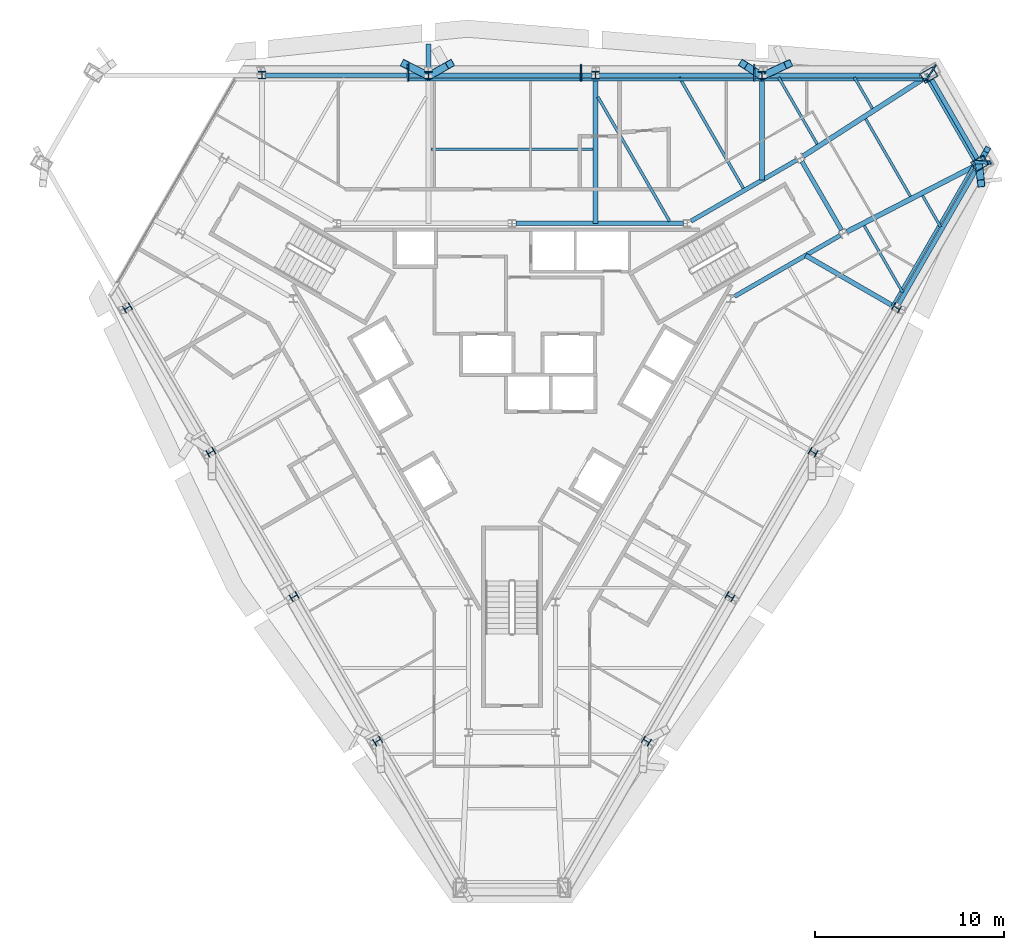
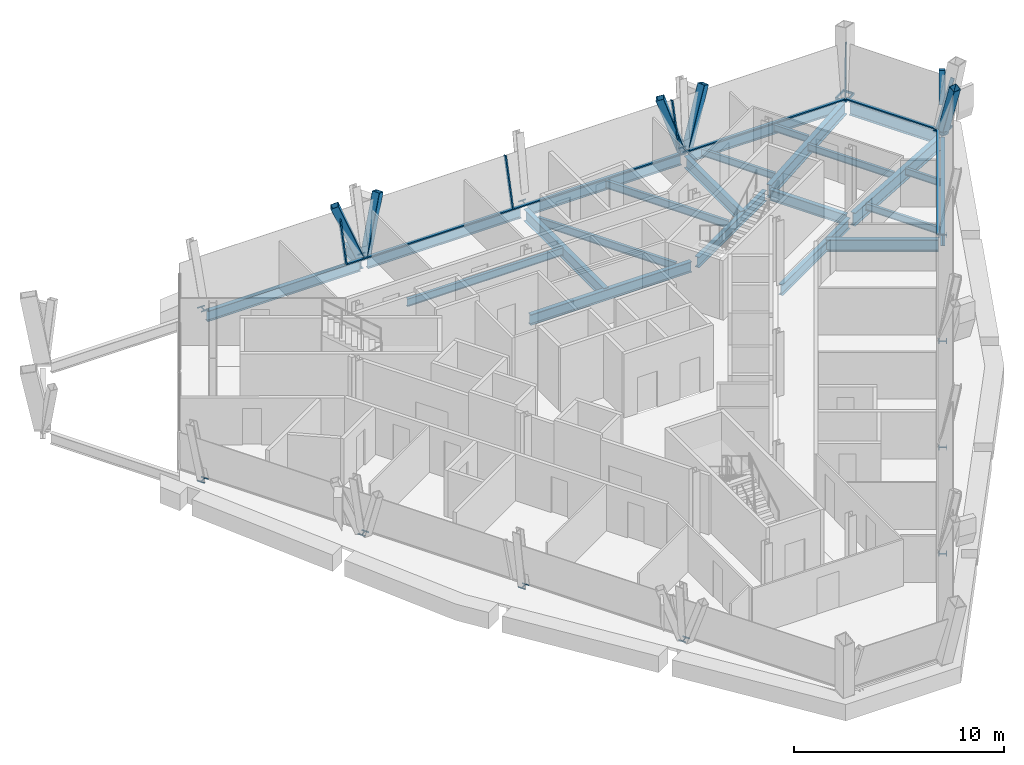
# One storey, part 5 of 11: 30 members, 24 beams, 3 elements without a shape of their own.
"""IFC4 building model written with IfcOpenShell, lengths in metres."""

from ifc_helpers import new_model, si_unit, direction, frame, origin, origin_2d, place, context, subcontext, project, spatial, rectangle, hollow_rectangle, i_section, extrude, material, material_profile, profile_set, type_object, element, aggregate, save


model = new_model("IFC4")

# Units and contexts
model_context = context("Model", 3, precision=1e-05, world=origin(), true_north=direction((0.0, 1.0)))
body_context = subcontext(model_context, "Body", "Model", "MODEL_VIEW")
ifc_project = project(units=[si_unit("LENGTHUNIT", "METRE"), si_unit("AREAUNIT", "SQUARE_METRE"), si_unit("VOLUMEUNIT", "CUBIC_METRE"), si_unit("PLANEANGLEUNIT", "RADIAN"), si_unit("MASSUNIT", "GRAM", prefix="KILO")], contexts=[model_context])

# Site, building, storey
site_placement = place(None, origin())
site = spatial("IfcSite", under=ifc_project, at=site_placement, CompositionType="ELEMENT")
building_placement = place(site_placement, origin())
building = spatial("IfcBuilding", under=site, at=building_placement, Name="Verrane Prism Tower", CompositionType="ELEMENT")
storey_placement = place(building_placement, frame((0.0, 0.0, 232.300048828125)))
storey = spatial("IfcBuildingStorey", under=building, at=storey_placement, Name="L58", CompositionType="ELEMENT", Elevation=232.300048828125)

# Member
ifc_material_1 = material(Name="Steel A500 Grade C", Category="steel")
ifc_material_profile_1 = material_profile(ifc_material_1, hollow_rectangle(XDim=0.3046875, YDim=0.3046875, WallThickness=0.0126953125, InnerFilletRadius=0.00634765625, OuterFilletRadius=0.01904296875, at=origin_2d()), Name="HSS12x12x1/2")
ifc_profile_set_1 = profile_set([ifc_material_profile_1], Name="Steel A500 Grade C")
member_type_1 = type_object("IfcMemberType", Name="Chamfer brace HSS12x12x1/2", PredefinedType="BRACE", material=ifc_profile_set_1)
member_1_placement = place(storey_placement, frame((24.888427734375, 11.51171875, 1.158203125), z_axis=(0.123660107547, 0.216716761827, 0.968370808598), x_axis=(-0.86855035139, 0.49560093533, 0.0)))
element("IfcMember", 1, at=member_1_placement, inside=storey, type_object=member_type_1, Name="Chamfer brace NE0 L58", PredefinedType="BRACE", context=body_context, shape_type="SweptSolid", body=[
    extrude(hollow_rectangle(XDim=0.3046875, YDim=0.3046875, WallThickness=0.0126953125, InnerFilletRadius=0.00634765625, OuterFilletRadius=0.01904296875, at=origin_2d()), origin(), (0.0, 0.0, 1.0), 1.762939453125),
])

# Beams
ifc_material_2 = material(Name="Steel A992", Category="steel")
ifc_material_profile_2 = material_profile(ifc_material_2, i_section(OverallWidth=0.2666015625, OverallDepth=0.7568359375, WebThickness=0.013916015625, FlangeThickness=0.019287109375, FilletRadius=0.0166015625, at=origin_2d()), Name="W30x108")
ifc_profile_set_2 = profile_set([ifc_material_profile_2], Name="Steel A992")
beam_type_1 = type_object("IfcBeamType", Name="Chamfer spandrel beam W30x108", PredefinedType="SPANDREL", material=ifc_profile_set_2)
beam_1_placement = place(storey_placement, frame((24.5703125, 11.419921875, -0.53857421875), z_axis=(-0.499144251771, 0.866518906848, 0.0), x_axis=(-0.866518906848, -0.499144251771, 0.0)))
element("IfcBeam", 2, at=beam_1_placement, inside=storey, type_object=beam_type_1, Name="Chamfer spandrel beam L58", PredefinedType="SPANDREL", context=body_context, shape_type="SweptSolid", body=[
    extrude(i_section(OverallWidth=0.2666015625, OverallDepth=0.7568359375, WebThickness=0.013916015625, FlangeThickness=0.019287109375, FilletRadius=0.0166015625, at=origin_2d()), origin(), (0.0, 0.0, 1.0), 4.78955078125),
])
ifc_material_3 = material(Name="Steel A992", Category="steel")
ifc_material_profile_3 = material_profile(ifc_material_3, i_section(OverallWidth=0.23046875, OverallDepth=0.6171875, WebThickness=0.01318359375, FlangeThickness=0.022216796875, FilletRadius=0.012939453125, at=origin_2d()), Name="W24x94")
ifc_profile_set_3 = profile_set([ifc_material_profile_3], Name="Steel A992")
beam_type_2 = type_object("IfcBeamType", Name="Core ring girder W24x94", PredefinedType="BEAM", material=ifc_profile_set_3)
beam_2_placement = place(storey_placement, frame((11.759521484375, 4.135009765625, -0.55859375), z_axis=(0.866080992722, 0.499903704773, 0.0), x_axis=(-0.499903704773, 0.866080992722, 0.0)))
element("IfcBeam", 3, at=beam_2_placement, inside=storey, type_object=beam_type_2, Name="Core ring girder L58", PredefinedType="BEAM", context=body_context, shape_type="SweptSolid", body=[
    extrude(i_section(OverallWidth=0.23046875, OverallDepth=0.6171875, WebThickness=0.01318359375, FlangeThickness=0.022216796875, FilletRadius=0.012939453125, at=origin_2d()), origin(), (0.0, 0.0, 1.0), 6.451904296875),
])
beam_3_placement = place(storey_placement, frame((17.419677734375, 7.6337890625, -0.55859375), z_axis=(-0.500375511519, 0.865808493532, 0.0), x_axis=(-0.865808493532, -0.500375511519, 0.0)))
element("IfcBeam", 4, at=beam_3_placement, inside=storey, type_object=beam_type_2, Name="Core ring girder L58", PredefinedType="BEAM", context=body_context, shape_type="SweptSolid", body=[
    extrude(i_section(OverallWidth=0.23046875, OverallDepth=0.6171875, WebThickness=0.01318359375, FlangeThickness=0.022216796875, FilletRadius=0.012939453125, at=origin_2d()), origin(), (0.0, 0.0, 1.0), 4.195556640625),
])
beam_4_placement = place(storey_placement, frame((15.04736328125, 11.34033203125, -0.55859375), z_axis=(-0.866080992722, -0.499903704773, 0.0), x_axis=(0.499903704773, -0.866080992722, 0.0)))
element("IfcBeam", 5, at=beam_4_placement, inside=storey, type_object=beam_type_2, Name="Core ring girder L58", PredefinedType="BEAM", context=body_context, shape_type="SweptSolid", body=[
    extrude(i_section(OverallWidth=0.23046875, OverallDepth=0.6171875, WebThickness=0.01318359375, FlangeThickness=0.022216796875, FilletRadius=0.012939453125, at=origin_2d()), origin(), (0.0, 0.0, 1.0), 6.451904296875),
])
beam_5_placement = place(storey_placement, frame((9.060546875, 8.0, -0.55859375), z_axis=(-1.0, 0.0, 0.0), x_axis=(0.0, -1.0, 0.0)))
element("IfcBeam", 6, at=beam_5_placement, inside=storey, type_object=beam_type_2, Name="Core ring girder L58", PredefinedType="BEAM", context=body_context, shape_type="SweptSolid", body=[
    extrude(i_section(OverallWidth=0.23046875, OverallDepth=0.6171875, WebThickness=0.01318359375, FlangeThickness=0.022216796875, FilletRadius=0.012939453125, at=origin_2d()), origin(), (0.0, 0.0, 1.0), 8.861083984375),
])
ifc_material_4 = material(Name="Steel A992", Category="steel")
ifc_material_profile_4 = material_profile(ifc_material_4, i_section(OverallWidth=0.2666015625, OverallDepth=0.76708984375, WebThickness=0.014892578125, FlangeThickness=0.023681640625, FilletRadius=0.0166015625, at=origin_2d()), Name="W30x124")
ifc_profile_set_4 = profile_set([ifc_material_profile_4], Name="Steel A992")
beam_type_3 = type_object("IfcBeamType", Name="Corner girder W30x124", PredefinedType="BEAM", material=ifc_profile_set_4)
beam_6_placement = place(storey_placement, frame((24.36376953125, 10.97705078125, -0.603515625), z_axis=(-0.889427813273, -0.457075666576, 0.0), x_axis=(0.457075666576, -0.889427813273, 0.0)))
element("IfcBeam", 7, at=beam_6_placement, inside=storey, type_object=beam_type_3, Name="Corner girder L58", PredefinedType="BEAM", context=body_context, shape_type="SweptSolid", body=[
    extrude(i_section(OverallWidth=0.2666015625, OverallDepth=0.76708984375, WebThickness=0.014892578125, FlangeThickness=0.023681640625, FilletRadius=0.0166015625, at=origin_2d()), origin(), (0.0, 0.0, 1.0), 7.4951171875),
])
beam_7_placement = place(storey_placement, frame((22.02880859375, 15.8291015625, -0.603515625), z_axis=(-0.840503183153, -0.541806606742, 0.0), x_axis=(0.541806606742, -0.840503183153, 0.0)))
element("IfcBeam", 8, at=beam_7_placement, inside=storey, type_object=beam_type_3, Name="Corner girder L58", PredefinedType="BEAM", context=body_context, shape_type="SweptSolid", body=[
    extrude(i_section(OverallWidth=0.2666015625, OverallDepth=0.76708984375, WebThickness=0.014892578125, FlangeThickness=0.023681640625, FilletRadius=0.0166015625, at=origin_2d()), origin(), (0.0, 0.0, 1.0), 7.9013671875),
])

# Members
ifc_material_5 = material(Name="Steel A500 Grade C", Category="steel")
ifc_material_profile_5 = material_profile(ifc_material_5, hollow_rectangle(XDim=0.406494140625, YDim=0.406494140625, WallThickness=0.01904296875, InnerFilletRadius=0.009521484375, OuterFilletRadius=0.028564453125, at=origin_2d()), Name="HSS16x16x3/4")
ifc_profile_set_5 = profile_set([ifc_material_profile_5], Name="Steel A500 Grade C")
member_type_2 = type_object("IfcMemberType", Name="Facade brace HSS16x16x3/4", PredefinedType="BRACE", material=ifc_profile_set_5)
member_2_placement = place(storey_placement, frame((13.338623046875, 15.830078125, -0.171630859375), z_axis=(0.365585300719, 0.169746161738, 0.915168633899), x_axis=(-0.421131980092, 0.906999368987, 0.0)))
element("IfcMember", 9, at=member_2_placement, inside=storey, type_object=member_type_2, Name="Facade brace N0 L58", PredefinedType="BRACE", context=body_context, shape_type="SweptSolid", body=[
    extrude(hollow_rectangle(XDim=0.406494140625, YDim=0.406494140625, WallThickness=0.01904296875, InnerFilletRadius=0.009521484375, OuterFilletRadius=0.028564453125, at=origin_2d()), origin(), (0.0, 0.0, 1.0), 3.443115234375),
])
member_3_placement = place(storey_placement, frame((13.133544921875, 15.830078125, -0.171630859375), z_axis=(-0.27522130319, 0.175327248493, 0.945258477987), x_axis=(-0.537282041635, -0.843402636785, 0.0)))
element("IfcMember", 10, at=member_3_placement, inside=storey, type_object=member_type_2, Name="Facade brace N1 L58", PredefinedType="BRACE", context=body_context, shape_type="SweptSolid", body=[
    extrude(hollow_rectangle(XDim=0.406494140625, YDim=0.406494140625, WallThickness=0.01904296875, InnerFilletRadius=0.009521484375, OuterFilletRadius=0.028564453125, at=origin_2d()), origin(), (0.0, 0.0, 1.0), 3.33349609375),
])
member_4_placement = place(storey_placement, frame((-4.312744140625, 15.830078125, -0.171630859375), z_axis=(0.306637458504, 0.173584789704, 0.935864194115), x_axis=(-0.492633505256, 0.870236881257, 0.0)))
element("IfcMember", 11, at=member_4_placement, inside=storey, type_object=member_type_2, Name="Facade brace N2 L58", PredefinedType="BRACE", context=body_context, shape_type="SweptSolid", body=[
    extrude(hollow_rectangle(XDim=0.406494140625, YDim=0.406494140625, WallThickness=0.01904296875, InnerFilletRadius=0.009521484375, OuterFilletRadius=0.028564453125, at=origin_2d()), origin(), (0.0, 0.0, 1.0), 3.3671875),
])
member_5_placement = place(storey_placement, frame((-4.517822265625, 15.830078125, -0.171630859375), z_axis=(-0.336446754697, 0.171738492696, 0.925910077373), x_axis=(-0.454642544283, -0.890673990261, 0.0)))
element("IfcMember", 12, at=member_5_placement, inside=storey, type_object=member_type_2, Name="Facade brace N3 L58", PredefinedType="BRACE", context=body_context, shape_type="SweptSolid", body=[
    extrude(hollow_rectangle(XDim=0.406494140625, YDim=0.406494140625, WallThickness=0.01904296875, InnerFilletRadius=0.009521484375, OuterFilletRadius=0.028564453125, at=origin_2d()), origin(), (0.0, 0.0, 1.0), 3.4033203125),
])
member_6_placement = place(storey_placement, frame((24.682373046875, 11.0947265625, -0.171630859375), z_axis=(0.032664698192, -0.298490307689, 0.953853528435), x_axis=(0.994065455559, 0.108783592809, 0.0)))
element("IfcMember", 13, at=member_6_placement, inside=storey, type_object=member_type_2, Name="Facade brace SE4 L58", PredefinedType="BRACE", context=body_context, shape_type="SweptSolid", body=[
    extrude(hollow_rectangle(XDim=0.406494140625, YDim=0.406494140625, WallThickness=0.01904296875, InnerFilletRadius=0.009521484375, OuterFilletRadius=0.028564453125, at=origin_2d()), origin(), (0.0, 0.0, 1.0), 3.303466796875),
])

# Beams
ifc_material_6 = material(Name="Steel A992", Category="steel")
ifc_material_profile_6 = material_profile(ifc_material_6, i_section(OverallWidth=0.140380859375, OverallDepth=0.40380859375, WebThickness=0.007080078125, FlangeThickness=0.01123046875, FilletRadius=0.01025390625, at=origin_2d()), Name="W16x31")
ifc_profile_set_6 = profile_set([ifc_material_profile_6], Name="Steel A992")
beam_type_4 = type_object("IfcBeamType", Name="Floor beam W16x31", PredefinedType="BEAM", material=ifc_profile_set_6)
beam_8_placement = place(storey_placement, frame((19.0458984375, 14.065185546875, -0.362060546875), z_axis=(-0.499929534118, 0.866066083458, 0.0), x_axis=(-0.866066083458, -0.499929534118, 0.0)))
element("IfcBeam", 14, at=beam_8_placement, inside=storey, type_object=beam_type_4, Name="Floor beam L58", PredefinedType="BEAM", context=body_context, shape_type="SweptSolid", body=[
    extrude(i_section(OverallWidth=0.140380859375, OverallDepth=0.40380859375, WebThickness=0.007080078125, FlangeThickness=0.01123046875, FilletRadius=0.01025390625, at=origin_2d()), origin(), (0.0, 0.0, 1.0), 1.905029296875),
])
beam_9_placement = place(storey_placement, frame((16.12890625, 12.184814453125, -0.362060546875), z_axis=(-0.499978218965, 0.866037978706, 0.0), x_axis=(-0.866037978706, -0.499978218965, 0.0)))
element("IfcBeam", 15, at=beam_9_placement, inside=storey, type_object=beam_type_4, Name="Floor beam L58", PredefinedType="BEAM", context=body_context, shape_type="SweptSolid", body=[
    extrude(i_section(OverallWidth=0.140380859375, OverallDepth=0.40380859375, WebThickness=0.007080078125, FlangeThickness=0.01123046875, FilletRadius=0.01025390625, at=origin_2d()), origin(), (0.0, 0.0, 1.0), 4.076416015625),
])
beam_10_placement = place(storey_placement, frame((22.65380859375, 7.80712890625, -0.362060546875), z_axis=(-0.500036506332, 0.866004325818, 0.0), x_axis=(-0.866004325818, -0.500036506332, 0.0)))
element("IfcBeam", 16, at=beam_10_placement, inside=storey, type_object=beam_type_4, Name="Floor beam L58", PredefinedType="BEAM", context=body_context, shape_type="SweptSolid", body=[
    extrude(i_section(OverallWidth=0.140380859375, OverallDepth=0.40380859375, WebThickness=0.007080078125, FlangeThickness=0.01123046875, FilletRadius=0.01025390625, at=origin_2d()), origin(), (0.0, 0.0, 1.0), 1.906494140625),
])
beam_11_placement = place(storey_placement, frame((20.654052734375, 4.33935546875, -0.362060546875), z_axis=(-0.500007372378, 0.866021147298, 0.0), x_axis=(-0.866021147298, -0.500007372378, 0.0)))
element("IfcBeam", 17, at=beam_11_placement, inside=storey, type_object=beam_type_4, Name="Floor beam L58", PredefinedType="BEAM", context=body_context, shape_type="SweptSolid", body=[
    extrude(i_section(OverallWidth=0.140380859375, OverallDepth=0.40380859375, WebThickness=0.007080078125, FlangeThickness=0.01123046875, FilletRadius=0.01025390625, at=origin_2d()), origin(), (0.0, 0.0, 1.0), 4.07958984375),
])
beam_12_placement = place(storey_placement, frame((21.0546875, 9.426513671875, -0.362060546875), z_axis=(-0.499972881236, 0.866041060244, 0.0), x_axis=(-0.866041060244, -0.499972881236, 0.0)))
element("IfcBeam", 18, at=beam_12_placement, inside=storey, type_object=beam_type_4, Name="Floor beam L58", PredefinedType="BEAM", context=body_context, shape_type="SweptSolid", body=[
    extrude(i_section(OverallWidth=0.140380859375, OverallDepth=0.40380859375, WebThickness=0.007080078125, FlangeThickness=0.01123046875, FilletRadius=0.01025390625, at=origin_2d()), origin(), (0.0, 0.0, 1.0), 4.725830078125),
])
ifc_material_7 = material(Name="Steel A992", Category="steel")
ifc_material_profile_7 = material_profile(ifc_material_7, i_section(OverallWidth=0.15234375, OverallDepth=0.449462890625, WebThickness=0.007568359375, FlangeThickness=0.0107421875, FilletRadius=0.01025390625, at=origin_2d()), Name="W18x35")
ifc_profile_set_7 = profile_set([ifc_material_profile_7], Name="Steel A992")
beam_type_5 = type_object("IfcBeamType", Name="Floor beam W18x35", PredefinedType="BEAM", material=ifc_profile_set_7)
beam_13_placement = place(storey_placement, frame((12.22900390625, 9.849853515625, -0.384765625), z_axis=(-0.499992893009, 0.866029506969, 0.0), x_axis=(-0.866029506969, -0.499992893009, 0.0)))
element("IfcBeam", 19, at=beam_13_placement, inside=storey, type_object=beam_type_5, Name="Floor beam L58", PredefinedType="BEAM", context=body_context, shape_type="SweptSolid", body=[
    extrude(i_section(OverallWidth=0.15234375, OverallDepth=0.449462890625, WebThickness=0.007568359375, FlangeThickness=0.0107421875, FilletRadius=0.01025390625, at=origin_2d()), origin(), (0.0, 0.0, 1.0), 6.7724609375),
])
beam_14_placement = place(storey_placement, frame((8.3251953125, 8.114990234375, -0.384765625), z_axis=(-0.499979074716, 0.866037484666, 0.0), x_axis=(-0.866037484666, -0.499979074716, 0.0)))
element("IfcBeam", 20, at=beam_14_placement, inside=storey, type_object=beam_type_5, Name="Floor beam L58", PredefinedType="BEAM", context=body_context, shape_type="SweptSolid", body=[
    extrude(i_section(OverallWidth=0.15234375, OverallDepth=0.449462890625, WebThickness=0.007568359375, FlangeThickness=0.0107421875, FilletRadius=0.01025390625, at=origin_2d()), origin(), (0.0, 0.0, 1.0), 7.576416015625),
])
beam_15_placement = place(storey_placement, frame((-4.282958984375, 11.9150390625, -0.384765625), z_axis=(1.0, 0.0, 0.0), x_axis=(0.0, 1.0, 0.0)))
element("IfcBeam", 21, at=beam_15_placement, inside=storey, type_object=beam_type_5, Name="Floor beam L58", PredefinedType="BEAM", context=body_context, shape_type="SweptSolid", body=[
    extrude(i_section(OverallWidth=0.15234375, OverallDepth=0.449462890625, WebThickness=0.007568359375, FlangeThickness=0.0107421875, FilletRadius=0.01025390625, at=origin_2d()), origin(), (0.0, 0.0, 1.0), 8.56591796875),
])

# Members
ifc_material_8 = material(Name="Steel A572 Grade 50", Category="steel")
ifc_material_profile_8 = material_profile(ifc_material_8, hollow_rectangle(XDim=0.60009765625, YDim=0.800048828125, WallThickness=0.050048828125, at=origin_2d()), Name="BOX 800x600x50")
ifc_profile_set_8 = profile_set([ifc_material_profile_8], Name="Steel A572 Grade 50")
member_type_3 = type_object("IfcMemberType", Name="Kink node BOX 800x600x50", PredefinedType="COLLAR", material=ifc_profile_set_8)
for number, where, z_axis, x_axis, name in (
    (22, (24.72705078125, 11.159912109375, -0.06494140625), (0.0, 0.0, 1.0), (0.5, -0.866025403784, 0.0), "Kink node MC4 L58"),
    (23, (22.033447265625, 15.836181640625, -0.06494140625), (0.0, 0.0, 1.0), (0.5, -0.866025403784, 0.0), "Kink node MC4 L58"),
):
    element("IfcMember", number, at=place(storey_placement, frame(where, z_axis=z_axis, x_axis=x_axis)), inside=storey, type_object=member_type_3, Name=name, PredefinedType="COLLAR", context=body_context, shape_type="SweptSolid", body=[
        extrude(hollow_rectangle(XDim=0.60009765625, YDim=0.800048828125, WallThickness=0.050048828125, at=origin_2d()), origin(), (0.0, 0.0, 1.0), 0.1298828125),
    ])
ifc_material_9 = material(Name="Steel A992", Category="steel")
ifc_material_profile_9 = material_profile(ifc_material_9, i_section(OverallWidth=0.4013671875, OverallDepth=0.398681640625, WebThickness=0.02490234375, FlangeThickness=0.03955078125, FilletRadius=0.01513671875, at=origin_2d()), Name="W14x211")
ifc_profile_set_9 = profile_set([ifc_material_profile_9], Name="Steel A992")
member_type_4 = type_object("IfcMemberType", Name="Kink node W14x211", PredefinedType="COLLAR", material=ifc_profile_set_9)
for number, where, z_axis, x_axis, name in (
    (24, (13.22119140625, 15.833251953125, -0.03515625), (0.0, 0.0, 1.0), (1.0, 0.0, 0.0), "Kink node PC8 L58"),
    (25, (4.410400390625, 15.833251953125, -0.03515625), (0.0, 0.0, 1.0), (1.0, 0.0, 0.0), "Kink node PC8 L58"),
    (26, (-4.410400390625, 15.833251953125, -0.03515625), (0.0, 0.0, 1.0), (1.0, 0.0, 0.0), "Kink node PC8 L58"),
    (27, (-13.22119140625, 15.833251953125, -0.03515625), (0.0, 0.0, 1.0), (1.0, 0.0, 0.0), "Kink node PC8 L58"),
    (28, (7.102294921875, -19.36279296875, -0.03515625), (0.0, 0.0, 1.0), (-0.5, -0.866025403784, 0.0), "Kink node PC8 L58"),
    (29, (11.5126953125, -11.73193359375, -0.03515625), (0.0, 0.0, 1.0), (-0.5, -0.866025403784, 0.0), "Kink node PC8 L58"),
    (30, (15.9130859375, -4.101318359375, -0.03515625), (0.0, 0.0, 1.0), (-0.5, -0.866025403784, 0.0), "Kink node PC8 L58"),
):
    element("IfcMember", number, at=place(storey_placement, frame(where, z_axis=z_axis, x_axis=x_axis)), inside=storey, type_object=member_type_4, Name=name, PredefinedType="COLLAR", context=body_context, shape_type="SweptSolid", body=[
        extrude(i_section(OverallWidth=0.4013671875, OverallDepth=0.398681640625, WebThickness=0.02490234375, FlangeThickness=0.03955078125, FilletRadius=0.01513671875, at=origin_2d()), origin(), (0.0, 0.0, 1.0), 0.070068359375),
    ])
for number, where, z_axis, x_axis, name in (
    (31, (20.323974609375, 3.529296875, -0.0400390625), (0.0, 0.0, 1.0), (-0.5, -0.866025403784, 0.0), "Kink node PC8 L58"),
    (32, (-20.323974609375, 3.529296875, -0.0400390625), (0.0, 0.0, 1.0), (-0.5, 0.866025403784, 0.0), "Kink node PC8 L58"),
):
    element("IfcMember", number, at=place(storey_placement, frame(where, z_axis=z_axis, x_axis=x_axis)), inside=storey, type_object=member_type_4, Name=name, PredefinedType="COLLAR", context=body_context, shape_type="SweptSolid", body=[
        extrude(i_section(OverallWidth=0.4013671875, OverallDepth=0.398681640625, WebThickness=0.02490234375, FlangeThickness=0.03955078125, FilletRadius=0.01513671875, at=origin_2d()), origin(), (0.0, 0.0, 1.0), 0.080078125),
    ])
for number, where, z_axis, x_axis, name in (
    (33, (-15.9130859375, -4.101318359375, -0.03515625), (0.0, 0.0, 1.0), (-0.5, 0.866025403784, 0.0), "Kink node PC8 L58"),
    (34, (-11.5126953125, -11.73193359375, -0.03515625), (0.0, 0.0, 1.0), (-0.5, 0.866025403784, 0.0), "Kink node PC8 L58"),
    (35, (-7.102294921875, -19.36279296875, -0.03515625), (0.0, 0.0, 1.0), (-0.5, 0.866025403784, 0.0), "Kink node PC8 L58"),
):
    element("IfcMember", number, at=place(storey_placement, frame(where, z_axis=z_axis, x_axis=x_axis)), inside=storey, type_object=member_type_4, Name=name, PredefinedType="COLLAR", context=body_context, shape_type="SweptSolid", body=[
        extrude(i_section(OverallWidth=0.4013671875, OverallDepth=0.398681640625, WebThickness=0.02490234375, FlangeThickness=0.03955078125, FilletRadius=0.01513671875, at=origin_2d()), origin(), (0.0, 0.0, 1.0), 0.070068359375),
    ])

# Curtain wall, member
ifc_material_10 = material(Name="Aluminium framed insulated glazing", Category="aluminium")
curtain_wall_type = type_object("IfcCurtainWallType", Name="Curtain wall CW-A 8400 module", PredefinedType="NOTDEFINED", material=ifc_material_10)
curtain_wall_1_placement = place(storey_placement, origin())
curtain_wall_1 = element("IfcCurtainWall", 36, at=curtain_wall_1_placement, inside=storey, type_object=curtain_wall_type, Name="Glazed curtain wall north-east corner L58", PredefinedType="NOTDEFINED")
ifc_material_11 = material(Name="Aluminium alloy 6063-T6", Category="aluminium")
ifc_material_profile_10 = material_profile(ifc_material_11, rectangle(XDim=0.199951171875, YDim=0.070068359375, at=origin_2d()), Name="Mullion 70x200 aluminium")
ifc_profile_set_10 = profile_set([ifc_material_profile_10], Name="Aluminium alloy 6063-T6")
member_type_5 = type_object("IfcMemberType", Name="Mullion 70x200 aluminium", PredefinedType="MULLION", material=ifc_profile_set_10)
member_7_placement = place(storey_placement, frame((24.4716796875, 11.2431640625, 0.0), z_axis=(0.291230931481, -0.01058865048, 0.956594179906), x_axis=(0.446510167014, -0.882834744842, -0.145710274354)))
member_7 = element("IfcMember", 37, at=member_7_placement, type_object=member_type_5, Name="CW57.1 mullion 1", PredefinedType="MULLION", context=body_context, shape_type="SweptSolid", body=[
    extrude(rectangle(XDim=0.199951171875, YDim=0.070068359375, at=origin_2d()), origin(), (0.0, 0.0, 1.0), 2.8359375),
])

# Curtain wall, members
curtain_wall_2_placement = place(storey_placement, origin())
curtain_wall_2 = element("IfcCurtainWall", 38, at=curtain_wall_2_placement, inside=storey, type_object=curtain_wall_type, Name="Glazed curtain wall north face L58", PredefinedType="NOTDEFINED")
member_8_placement = place(storey_placement, frame((21.92041015625, 15.601806640625, 0.0), z_axis=(0.154871913489, 0.246813660908, 0.956607394494), x_axis=(0.508448169968, 0.810295110227, -0.291379980093)))
member_8 = element("IfcMember", 39, at=member_8_placement, type_object=member_type_5, Name="CW57.2 mullion 1", PredefinedType="MULLION", context=body_context, shape_type="SweptSolid", body=[
    extrude(rectangle(XDim=0.199951171875, YDim=0.070068359375, at=origin_2d()), origin(), (0.0, 0.0, 1.0), 2.8359375),
])
member_9_placement = place(storey_placement, frame((12.802734375, 15.601806640625, 0.0), z_axis=(0.0, 0.249827945556, 0.968290244513), x_axis=(0.0, 0.968290244513, -0.249827945556)))
member_9 = element("IfcMember", 40, at=member_9_placement, type_object=member_type_5, Name="CW57.2 mullion 2", PredefinedType="MULLION", context=body_context, shape_type="SweptSolid", body=[
    extrude(rectangle(XDim=0.199951171875, YDim=0.070068359375, at=origin_2d()), origin(), (0.0, 0.0, 1.0), 2.8017578125),
])
member_10_placement = place(storey_placement, frame((3.650390625, 15.601806640625, 0.0), z_axis=(0.0, 0.249827945556, 0.968290244513), x_axis=(0.0, 0.968290244513, -0.249827945556)))
member_10 = element("IfcMember", 41, at=member_10_placement, type_object=member_type_5, Name="CW57.2 mullion 3", PredefinedType="MULLION", context=body_context, shape_type="SweptSolid", body=[
    extrude(rectangle(XDim=0.199951171875, YDim=0.070068359375, at=origin_2d()), origin(), (0.0, 0.0, 1.0), 2.8017578125),
])
member_11_placement = place(storey_placement, frame((-5.501953125, 15.601806640625, 0.0), z_axis=(0.0, 0.249827945556, 0.968290244513), x_axis=(0.0, 0.968290244513, -0.249827945556)))
member_11 = element("IfcMember", 42, at=member_11_placement, type_object=member_type_5, Name="CW57.2 mullion 4", PredefinedType="MULLION", context=body_context, shape_type="SweptSolid", body=[
    extrude(rectangle(XDim=0.199951171875, YDim=0.070068359375, at=origin_2d()), origin(), (0.0, 0.0, 1.0), 2.8017578125),
])

# Beams
ifc_material_12 = material(Name="Steel A992", Category="steel")
ifc_material_profile_11 = material_profile(ifc_material_12, i_section(OverallWidth=0.25390625, OverallDepth=0.683349609375, WebThickness=0.012451171875, FlangeThickness=0.01904296875, FilletRadius=0.01513671875, at=origin_2d()), Name="W27x94")
ifc_profile_set_11 = profile_set([ifc_material_profile_11], Name="Steel A992")
beam_type_6 = type_object("IfcBeamType", Name="Radial girder W27x94", PredefinedType="BEAM", material=ifc_profile_set_11)
beam_16_placement = place(storey_placement, frame((13.219970703125, 15.630615234375, -0.561767578125), z_axis=(0.0, -1.0, 0.0), x_axis=(1.0, 0.0, 0.0)))
element("IfcBeam", 43, at=beam_16_placement, inside=storey, type_object=beam_type_6, Name="Radial girder L58", PredefinedType="BEAM", context=body_context, shape_type="SweptSolid", body=[
    extrude(i_section(OverallWidth=0.25390625, OverallDepth=0.683349609375, WebThickness=0.012451171875, FlangeThickness=0.01904296875, FilletRadius=0.01513671875, at=origin_2d()), origin(), (0.0, 0.0, 1.0), 5.344970703125),
])
beam_17_placement = place(storey_placement, frame((4.409912109375, 15.630615234375, -0.561767578125), z_axis=(0.0, -1.0, 0.0), x_axis=(1.0, 0.0, 0.0)))
element("IfcBeam", 44, at=beam_17_placement, inside=storey, type_object=beam_type_6, Name="Radial girder L58", PredefinedType="BEAM", context=body_context, shape_type="SweptSolid", body=[
    extrude(i_section(OverallWidth=0.25390625, OverallDepth=0.683349609375, WebThickness=0.012451171875, FlangeThickness=0.01904296875, FilletRadius=0.01513671875, at=origin_2d()), origin(), (0.0, 0.0, 1.0), 7.630615234375),
])
beam_18_placement = place(storey_placement, frame((20.147216796875, 3.629638671875, -0.561767578125), z_axis=(-0.866020604947, 0.500008311739, 0.0), x_axis=(-0.500008311739, -0.866020604947, 0.0)))
element("IfcBeam", 45, at=beam_18_placement, inside=storey, type_object=beam_type_6, Name="Radial girder L58", PredefinedType="BEAM", context=body_context, shape_type="SweptSolid", body=[
    extrude(i_section(OverallWidth=0.25390625, OverallDepth=0.683349609375, WebThickness=0.012451171875, FlangeThickness=0.01904296875, FilletRadius=0.01513671875, at=origin_2d()), origin(), (0.0, 0.0, 1.0), 5.34765625),
])
beam_19_placement = place(storey_placement, frame((-4.409912109375, 16.025390625, -0.561767578125), z_axis=(0.0, 1.0, 0.0), x_axis=(-1.0, 0.0, 0.0)))
element("IfcBeam", 46, at=beam_19_placement, inside=storey, type_object=beam_type_6, Name="Cantilever girder L58", PredefinedType="BEAM", context=body_context, shape_type="SweptSolid", body=[
    extrude(i_section(OverallWidth=0.25390625, OverallDepth=0.683349609375, WebThickness=0.012451171875, FlangeThickness=0.01904296875, FilletRadius=0.01513671875, at=origin_2d()), origin(), (0.0, 0.0, 1.0), 1.4599609375),
])
ifc_material_13 = material(Name="Steel A992", Category="steel")
ifc_material_profile_12 = material_profile(ifc_material_13, i_section(OverallWidth=0.23046875, OverallDepth=0.6171875, WebThickness=0.01318359375, FlangeThickness=0.022216796875, FilletRadius=0.012939453125, at=origin_2d()), Name="W24x94")
ifc_profile_set_12 = profile_set([ifc_material_profile_12], Name="Steel A992")
beam_type_7 = type_object("IfcBeamType", Name="Spandrel beam W24x94", PredefinedType="SPANDREL", material=ifc_profile_set_12)
beam_20_placement = place(storey_placement, frame((21.568115234375, 15.830078125, -0.46875), z_axis=(-1.0, 0.0, 0.0), x_axis=(0.0, -1.0, 0.0)))
element("IfcBeam", 47, at=beam_20_placement, inside=storey, type_object=beam_type_7, Name="Spandrel beam L58", PredefinedType="SPANDREL", context=body_context, shape_type="SweptSolid", body=[
    extrude(i_section(OverallWidth=0.23046875, OverallDepth=0.6171875, WebThickness=0.01318359375, FlangeThickness=0.022216796875, FilletRadius=0.012939453125, at=origin_2d()), origin(), (0.0, 0.0, 1.0), 8.1474609375),
])
beam_21_placement = place(storey_placement, frame((13.019287109375, 15.830078125, -0.46875), z_axis=(-1.0, 0.0, 0.0), x_axis=(0.0, -1.0, 0.0)))
element("IfcBeam", 48, at=beam_21_placement, inside=storey, type_object=beam_type_7, Name="Spandrel beam L58", PredefinedType="SPANDREL", context=body_context, shape_type="SweptSolid", body=[
    extrude(i_section(OverallWidth=0.23046875, OverallDepth=0.6171875, WebThickness=0.01318359375, FlangeThickness=0.022216796875, FilletRadius=0.012939453125, at=origin_2d()), origin(), (0.0, 0.0, 1.0), 8.40869140625),
])
beam_22_placement = place(storey_placement, frame((4.209228515625, 15.830078125, -0.46875), z_axis=(-1.0, 0.0, 0.0), x_axis=(0.0, -1.0, 0.0)))
element("IfcBeam", 49, at=beam_22_placement, inside=storey, type_object=beam_type_7, Name="Spandrel beam L58", PredefinedType="SPANDREL", context=body_context, shape_type="SweptSolid", body=[
    extrude(i_section(OverallWidth=0.23046875, OverallDepth=0.6171875, WebThickness=0.01318359375, FlangeThickness=0.022216796875, FilletRadius=0.012939453125, at=origin_2d()), origin(), (0.0, 0.0, 1.0), 8.41845703125),
])
beam_23_placement = place(storey_placement, frame((-4.610595703125, 15.830078125, -0.46875), z_axis=(-1.0, 0.0, 0.0), x_axis=(0.0, -1.0, 0.0)))
element("IfcBeam", 50, at=beam_23_placement, inside=storey, type_object=beam_type_7, Name="Spandrel beam L58", PredefinedType="SPANDREL", context=body_context, shape_type="SweptSolid", body=[
    extrude(i_section(OverallWidth=0.23046875, OverallDepth=0.6171875, WebThickness=0.01318359375, FlangeThickness=0.022216796875, FilletRadius=0.012939453125, at=origin_2d()), origin(), (0.0, 0.0, 1.0), 8.40869140625),
])
beam_24_placement = place(storey_placement, frame((20.420166015625, 3.703857421875, -0.46875), z_axis=(0.499572810058, 0.866271901571, 0.0), x_axis=(-0.866271901571, 0.499572810058, 0.0)))
element("IfcBeam", 51, at=beam_24_placement, inside=storey, type_object=beam_type_7, Name="Spandrel beam L58", PredefinedType="SPANDREL", context=body_context, shape_type="SweptSolid", body=[
    extrude(i_section(OverallWidth=0.23046875, OverallDepth=0.6171875, WebThickness=0.01318359375, FlangeThickness=0.022216796875, FilletRadius=0.012939453125, at=origin_2d()), origin(), (0.0, 0.0, 1.0), 8.145263671875),
])

# Member
ifc_material_14 = material(Name="Aluminium alloy 6063-T6", Category="aluminium")
ifc_material_profile_13 = material_profile(ifc_material_14, rectangle(XDim=0.14990234375, YDim=0.070068359375, at=origin_2d()), Name="Transom 70x150 aluminium")
ifc_profile_set_13 = profile_set([ifc_material_profile_13], Name="Aluminium alloy 6063-T6")
member_type_6 = type_object("IfcMemberType", Name="Transom 70x150 aluminium", PredefinedType="USERDEFINED", material=ifc_profile_set_13)
member_12_placement = place(storey_placement, frame((24.4541015625, 11.2734375, 0.034912109375), z_axis=(-0.499969117767, 0.866043232916, 0.0), x_axis=(-0.866043232916, -0.499969117767, 0.0)))
member_12 = element("IfcMember", 52, at=member_12_placement, type_object=member_type_6, Name="CW57.1 transom 1", ObjectType="TRANSOM", PredefinedType="USERDEFINED", context=body_context, shape_type="SweptSolid", body=[
    extrude(rectangle(XDim=0.14990234375, YDim=0.070068359375, at=origin_2d()), origin(), (0.0, 0.0, 1.0), 4.997802734375),
])

aggregate(curtain_wall_1, [member_7, member_12])

member_13_placement = place(storey_placement, frame((21.88525390625, 15.601806640625, 0.034912109375), z_axis=(-1.0, 0.0, 0.0), x_axis=(0.0, -1.0, 0.0)))
member_13 = element("IfcMember", 53, at=member_13_placement, type_object=member_type_6, Name="CW57.2 transom 1", ObjectType="TRANSOM", PredefinedType="USERDEFINED", context=body_context, shape_type="SweptSolid", body=[
    extrude(rectangle(XDim=0.14990234375, YDim=0.070068359375, at=origin_2d()), origin(), (0.0, 0.0, 1.0), 9.04736328125),
])

member_14_placement = place(storey_placement, frame((12.767822265625, 15.601806640625, 0.034912109375), z_axis=(-1.0, 0.0, 0.0), x_axis=(0.0, -1.0, 0.0)))
member_14 = element("IfcMember", 54, at=member_14_placement, type_object=member_type_6, Name="CW57.2 transom 2", ObjectType="TRANSOM", PredefinedType="USERDEFINED", context=body_context, shape_type="SweptSolid", body=[
    extrude(rectangle(XDim=0.14990234375, YDim=0.070068359375, at=origin_2d()), origin(), (0.0, 0.0, 1.0), 9.08251953125),
])

member_15_placement = place(storey_placement, frame((3.615478515625, 15.601806640625, 0.034912109375), z_axis=(-1.0, 0.0, 0.0), x_axis=(0.0, -1.0, 0.0)))
member_15 = element("IfcMember", 55, at=member_15_placement, type_object=member_type_6, Name="CW57.2 transom 3", ObjectType="TRANSOM", PredefinedType="USERDEFINED", context=body_context, shape_type="SweptSolid", body=[
    extrude(rectangle(XDim=0.14990234375, YDim=0.070068359375, at=origin_2d()), origin(), (0.0, 0.0, 1.0), 9.08251953125),
])

aggregate(curtain_wall_2, [member_8, member_9, member_10, member_11, member_13, member_14, member_15])

# Curtain wall, member
curtain_wall_3_placement = place(storey_placement, origin())
curtain_wall_3 = element("IfcCurtainWall", 56, at=curtain_wall_3_placement, inside=storey, type_object=curtain_wall_type, Name="Glazed curtain wall south-east face L58", PredefinedType="NOTDEFINED")
member_16_placement = place(storey_placement, frame((20.11572265625, 3.6376953125, 0.034912109375), z_axis=(0.499999494409, 0.866025695687, 0.0), x_axis=(-0.866025695687, 0.499999494409, 0.0)))
member_16 = element("IfcMember", 57, at=member_16_placement, type_object=member_type_6, Name="CW57.6 transom 5", ObjectType="TRANSOM", PredefinedType="USERDEFINED", context=body_context, shape_type="SweptSolid", body=[
    extrude(rectangle(XDim=0.14990234375, YDim=0.070068359375, at=origin_2d()), origin(), (0.0, 0.0, 1.0), 8.7470703125),
])
aggregate(curtain_wall_3, [member_16])

save(model, "model.ifc")
